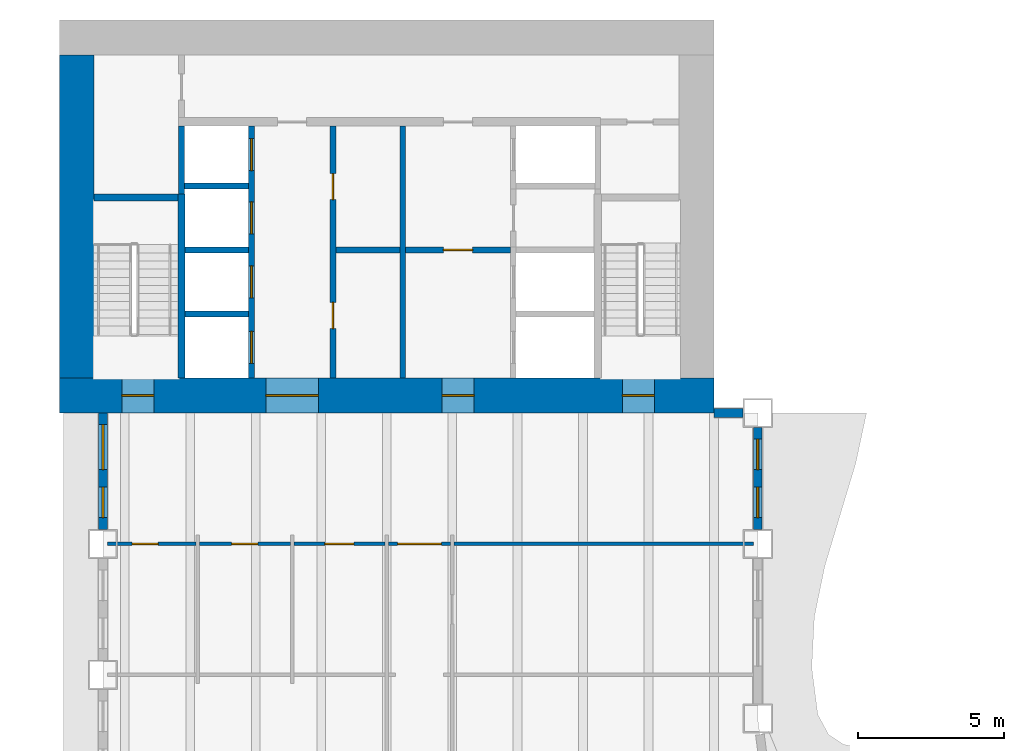
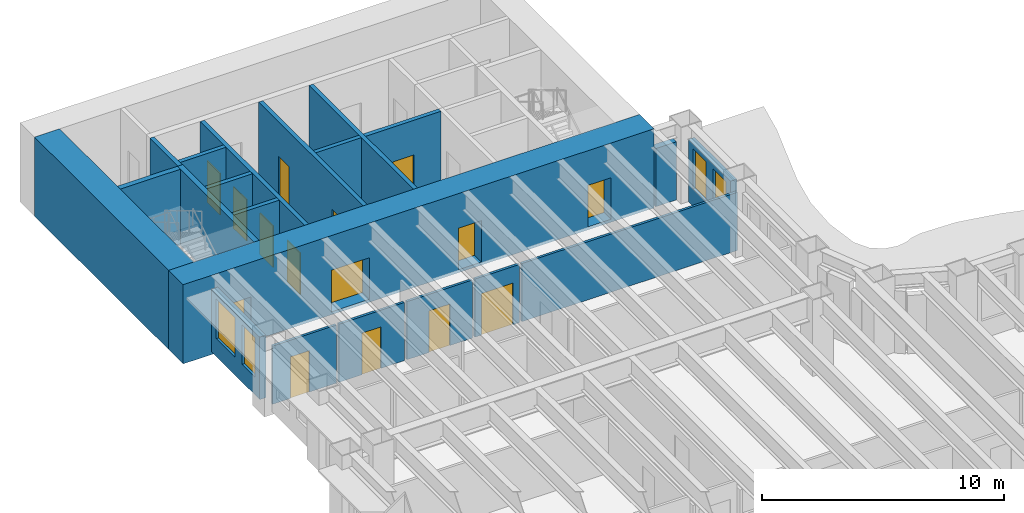
# One storey, part 8 of 16: 21 walls, 15 doors, 4 windows, 19 openings.
"""IFC4 building model written with IfcOpenShell, lengths in metres."""

from ifc_helpers import new_model, si_unit, direction, frame, frame_2d, origin, place, context, subcontext, project, spatial, rectangle, extrude, material, layer, layer_set, type_object, element, fill, save


model = new_model("IFC4")

# Units and contexts
model_context = context("Model", 3, precision=1e-05, world=origin(), true_north=direction((0.0, 1.0)))
body_context = subcontext(model_context, "Body", "Model", "MODEL_VIEW")
ifc_project = project(units=[si_unit("LENGTHUNIT", "METRE"), si_unit("AREAUNIT", "SQUARE_METRE"), si_unit("VOLUMEUNIT", "CUBIC_METRE"), si_unit("PLANEANGLEUNIT", "RADIAN"), si_unit("MASSUNIT", "GRAM", prefix="KILO")], contexts=[model_context])

# Site, building, storey
site_placement = place(None, origin())
site = spatial("IfcSite", under=ifc_project, at=site_placement, CompositionType="ELEMENT")
building_placement = place(site_placement, origin())
building = spatial("IfcBuilding", under=site, at=building_placement, Name="Sennacour Bend Tower", CompositionType="ELEMENT")
storey_placement = place(building_placement, frame((0.0, 0.0, 91.0)))
storey = spatial("IfcBuildingStorey", under=building, at=storey_placement, Name="L20", CompositionType="ELEMENT", Elevation=91.0)

# Wall, openings, doors
ifc_material_1 = material(Name="Concrete C80/95", Category="concrete")
ifc_layer_1 = layer(ifc_material_1, 1.199951171875, Name="Concrete C80/95", Category="concrete")
ifc_layer_set_1 = layer_set([ifc_layer_1], Name="Concrete C80/95")
wall_type_1 = type_object("IfcWallType", Name="Core wall 1200 C80/95", PredefinedType="SHEAR", material=ifc_layer_set_1)
wall_1_placement = place(storey_placement, frame((0.0, 36.60009765625, -0.14990234375), z_axis=(0.0, 0.0, 1.0), x_axis=(1.0, 0.0, 0.0)))
wall_1 = element("IfcWall", 1, at=wall_1_placement, inside=storey, type_object=wall_type_1, Name="Core B wall L20 S", PredefinedType="SHEAR", context=body_context, shape_type="SweptSolid", body=[
    extrude(rectangle(XDim=22.5, YDim=1.199951171875, at=frame_2d((11.25, 0.0))), origin(), (0.0, 0.0, 1.0), 4.0),
])
opening_1_placement = place(wall_1_placement, frame((7.10009765625, 0.0, 0.14990234375)))
opening_1 = element("IfcOpeningElement", 2, at=opening_1_placement, cuts=wall_1, Name="Opening CD", PredefinedType="OPENING", context=body_context, shape_type="SweptSolid", body=[
    extrude(rectangle(XDim=1.800048828125, YDim=2.10009765625, at=frame_2d((0.89990234375, 1.050048828125))), frame((0.0, 0.60986328125, 0.0), z_axis=(0.0, -1.0, 0.0), x_axis=(1.0, 0.0, 0.0)), (0.0, 0.0, 1.0), 1.219970703125),
])
opening_2_placement = place(wall_1_placement, frame((13.14990234375, 0.0, 0.14990234375)))
opening_2 = element("IfcOpeningElement", 3, at=opening_2_placement, cuts=wall_1, Name="Opening FD", PredefinedType="OPENING", context=body_context, shape_type="SweptSolid", body=[
    extrude(rectangle(XDim=1.10009765625, YDim=2.10009765625, at=frame_2d((0.550048828125, 1.050048828125))), frame((0.0, 0.60986328125, 0.0), z_axis=(0.0, -1.0, 0.0), x_axis=(1.0, 0.0, 0.0)), (0.0, 0.0, 1.0), 1.219970703125),
])
opening_3_placement = place(wall_1_placement, frame((2.14990234375, 0.0, 0.14990234375)))
opening_3 = element("IfcOpeningElement", 4, at=opening_3_placement, cuts=wall_1, Name="Opening SD", PredefinedType="OPENING", context=body_context, shape_type="SweptSolid", body=[
    extrude(rectangle(XDim=1.10009765625, YDim=2.10009765625, at=frame_2d((0.550048828125, 1.050048828125))), frame((0.0, 0.60986328125, 0.0), z_axis=(0.0, -1.0, 0.0), x_axis=(1.0, 0.0, 0.0)), (0.0, 0.0, 1.0), 1.219970703125),
])
opening_4_placement = place(wall_1_placement, frame((19.35009765625, 0.0, 0.14990234375)))
opening_4 = element("IfcOpeningElement", 5, at=opening_4_placement, cuts=wall_1, Name="Opening SD", PredefinedType="OPENING", context=body_context, shape_type="SweptSolid", body=[
    extrude(rectangle(XDim=1.10009765625, YDim=2.10009765625, at=frame_2d((0.550048828125, 1.050048828125))), frame((0.0, 0.60986328125, 0.0), z_axis=(0.0, -1.0, 0.0), x_axis=(1.0, 0.0, 0.0)), (0.0, 0.0, 1.0), 1.219970703125),
])
ifc_material_2 = material(Name="Painted steel", Category="steel")
door_type_1 = type_object("IfcDoorType", Name="DR-FFL-1100", OperationType="NOTDEFINED", PredefinedType="DOOR", material=ifc_material_2)
door_1_placement = place(opening_2_placement, origin())
door_1 = element("IfcDoor", 6, at=door_1_placement, inside=storey, type_object=door_type_1, Name="Door", OperationType="SINGLE_SWING_RIGHT", OverallHeight=2.10009765625, OverallWidth=1.10009765625, PredefinedType="DOOR", context=body_context, shape_type="SweptSolid", body=[
    extrude(rectangle(XDim=1.10009765625, YDim=2.10009765625, at=frame_2d((0.550048828125, 1.050048828125))), frame((0.0, 0.02490234375, 0.0), z_axis=(0.0, -1.0, 0.0), x_axis=(1.0, 0.0, 0.0)), (0.0, 0.0, 1.0), 0.050048828125),
])
fill(opening_2, door_1)
door_type_2 = type_object("IfcDoorType", Name="DR-LOBBY-1800", OperationType="NOTDEFINED", PredefinedType="DOOR", material=ifc_material_2)
door_2_placement = place(opening_1_placement, origin())
door_2 = element("IfcDoor", 7, at=door_2_placement, inside=storey, type_object=door_type_2, Name="Door", OperationType="DOUBLE_DOOR_SINGLE_SWING", OverallHeight=2.10009765625, OverallWidth=1.800048828125, PredefinedType="DOOR", context=body_context, shape_type="SweptSolid", body=[
    extrude(rectangle(XDim=1.800048828125, YDim=2.10009765625, at=frame_2d((0.89990234375, 1.050048828125))), frame((0.0, 0.02490234375, 0.0), z_axis=(0.0, -1.0, 0.0), x_axis=(1.0, 0.0, 0.0)), (0.0, 0.0, 1.0), 0.050048828125),
])
fill(opening_1, door_2)
door_type_3 = type_object("IfcDoorType", Name="DR-STAIR-1100", OperationType="NOTDEFINED", PredefinedType="DOOR", material=ifc_material_2)
door_3_placement = place(opening_3_placement, origin())
door_3 = element("IfcDoor", 8, at=door_3_placement, inside=storey, type_object=door_type_3, Name="Door", OperationType="SINGLE_SWING_LEFT", OverallHeight=2.10009765625, OverallWidth=1.10009765625, PredefinedType="DOOR", context=body_context, shape_type="SweptSolid", body=[
    extrude(rectangle(XDim=1.10009765625, YDim=2.10009765625, at=frame_2d((0.550048828125, 1.050048828125))), frame((0.0, 0.02490234375, 0.0), z_axis=(0.0, -1.0, 0.0), x_axis=(1.0, 0.0, 0.0)), (0.0, 0.0, 1.0), 0.050048828125),
])
fill(opening_3, door_3)
door_4_placement = place(opening_4_placement, origin())
door_4 = element("IfcDoor", 9, at=door_4_placement, inside=storey, type_object=door_type_3, Name="Door", OperationType="SINGLE_SWING_RIGHT", OverallHeight=2.10009765625, OverallWidth=1.10009765625, PredefinedType="DOOR", context=body_context, shape_type="SweptSolid", body=[
    extrude(rectangle(XDim=1.10009765625, YDim=2.10009765625, at=frame_2d((0.550048828125, 1.050048828125))), frame((0.0, 0.02490234375, 0.0), z_axis=(0.0, -1.0, 0.0), x_axis=(1.0, 0.0, 0.0)), (0.0, 0.0, 1.0), 0.050048828125),
])
fill(opening_4, door_4)

# Wall
wall_2_placement = place(storey_placement, frame((0.60009765625, 37.199951171875, -0.14990234375), z_axis=(0.0, 0.0, 1.0), x_axis=(0.0, 1.0, 0.0)))
element("IfcWall", 10, at=wall_2_placement, inside=storey, type_object=wall_type_1, Name="Core B wall L20 W", PredefinedType="SHEAR", context=body_context, shape_type="SweptSolid", body=[
    extrude(rectangle(XDim=11.10009765625, YDim=1.199951171875, at=frame_2d((5.550048828125, 0.0))), origin(), (0.0, 0.0, 1.0), 4.0),
])

# Wall, opening, door
ifc_material_3 = material(Name="Plasterboard partition on steel studs", Category="steel")
ifc_layer_2 = layer(ifc_material_3, 0.1201171875, Name="Plasterboard partition on steel studs", Category="steel")
ifc_layer_set_2 = layer_set([ifc_layer_2], Name="Plasterboard partition on steel studs")
wall_type_2 = type_object("IfcWallType", Name="Partition 120", PredefinedType="PARTITIONING", material=ifc_layer_set_2)
wall_3_placement = place(storey_placement, frame((1.64990234375, 31.5, 0.0), z_axis=(0.0, 0.0, 1.0), x_axis=(1.0, 0.0, 0.0)))
wall_3 = element("IfcWall", 11, at=wall_3_placement, inside=storey, type_object=wall_type_2, Name="P-L20-W072aa", PredefinedType="PARTITIONING", context=body_context, shape_type="SweptSolid", body=[
    extrude(rectangle(XDim=3.0400390625, YDim=0.1201171875, at=frame_2d((1.52001953125, 0.0))), origin(), (0.0, 0.0, 1.0), 2.93798828125),
])
opening_5_placement = place(wall_3_placement, frame((0.85009765625, 0.0, 0.0)))
opening_5 = element("IfcOpeningElement", 12, at=opening_5_placement, cuts=wall_3, Name="Opening WD", PredefinedType="OPENING", context=body_context, shape_type="SweptSolid", body=[
    extrude(rectangle(XDim=0.89990234375, YDim=2.10009765625, at=frame_2d((0.449951171875, 1.050048828125))), frame((0.0, 0.070068359375, 0.0), z_axis=(0.0, -1.0, 0.0), x_axis=(1.0, 0.0, 0.0)), (0.0, 0.0, 1.0), 0.14013671875),
])
ifc_material_4 = material(Name="Timber", Category="wood")
door_type_4 = type_object("IfcDoorType", Name="DR-WC-900", OperationType="NOTDEFINED", PredefinedType="DOOR", material=ifc_material_4)
door_5_placement = place(opening_5_placement, origin())
door_5 = element("IfcDoor", 13, at=door_5_placement, inside=storey, type_object=door_type_4, Name="Door", OperationType="SINGLE_SWING_LEFT", OverallHeight=2.10009765625, OverallWidth=0.89990234375, PredefinedType="DOOR", context=body_context, shape_type="SweptSolid", body=[
    extrude(rectangle(XDim=0.89990234375, YDim=2.10009765625, at=frame_2d((0.449951171875, 1.050048828125))), frame((0.0, 0.02490234375, 0.0), z_axis=(0.0, -1.0, 0.0), x_axis=(1.0, 0.0, 0.0)), (0.0, 0.0, 1.0), 0.050048828125),
])
fill(opening_5, door_5)

wall_4_placement = place(storey_placement, frame((4.81005859375, 31.5, 0.0), z_axis=(0.0, 0.0, 1.0), x_axis=(1.0, 0.0, 0.0)))
wall_4 = element("IfcWall", 14, at=wall_4_placement, inside=storey, type_object=wall_type_2, Name="P-L20-W072ab", PredefinedType="PARTITIONING", context=body_context, shape_type="SweptSolid", body=[
    extrude(rectangle(XDim=3.1298828125, YDim=0.1201171875, at=frame_2d((1.56494140625, 0.0))), origin(), (0.0, 0.0, 1.0), 2.93798828125),
])
opening_6_placement = place(wall_4_placement, frame((1.114990234375, 0.0, 0.0)))
opening_6 = element("IfcOpeningElement", 15, at=opening_6_placement, cuts=wall_4, Name="Opening WD", PredefinedType="OPENING", context=body_context, shape_type="SweptSolid", body=[
    extrude(rectangle(XDim=0.89990234375, YDim=2.10009765625, at=frame_2d((0.449951171875, 1.050048828125))), frame((0.0, 0.070068359375, 0.0), z_axis=(0.0, -1.0, 0.0), x_axis=(1.0, 0.0, 0.0)), (0.0, 0.0, 1.0), 0.14013671875),
])
door_6_placement = place(opening_6_placement, origin())
door_6 = element("IfcDoor", 16, at=door_6_placement, inside=storey, type_object=door_type_4, Name="Door", OperationType="SINGLE_SWING_LEFT", OverallHeight=2.10009765625, OverallWidth=0.89990234375, PredefinedType="DOOR", context=body_context, shape_type="SweptSolid", body=[
    extrude(rectangle(XDim=0.89990234375, YDim=2.10009765625, at=frame_2d((0.449951171875, 1.050048828125))), frame((0.0, 0.02490234375, 0.0), z_axis=(0.0, -1.0, 0.0), x_axis=(1.0, 0.0, 0.0)), (0.0, 0.0, 1.0), 0.050048828125),
])
fill(opening_6, door_6)

wall_5_placement = place(storey_placement, frame((8.06005859375, 31.5, 0.0), z_axis=(0.0, 0.0, 1.0), x_axis=(1.0, 0.0, 0.0)))
wall_5 = element("IfcWall", 17, at=wall_5_placement, inside=storey, type_object=wall_type_2, Name="P-L20-W072ac", PredefinedType="PARTITIONING", context=body_context, shape_type="SweptSolid", body=[
    extrude(rectangle(XDim=3.1298828125, YDim=0.1201171875, at=frame_2d((1.56494140625, 0.0))), origin(), (0.0, 0.0, 1.0), 2.93798828125),
])
opening_7_placement = place(wall_5_placement, frame((1.06494140625, 0.0, 0.0)))
opening_7 = element("IfcOpeningElement", 18, at=opening_7_placement, cuts=wall_5, Name="Opening AD", PredefinedType="OPENING", context=body_context, shape_type="SweptSolid", body=[
    extrude(rectangle(XDim=1.0, YDim=2.10009765625, at=frame_2d((0.5, 1.050048828125))), frame((0.0, 0.070068359375, 0.0), z_axis=(0.0, -1.0, 0.0), x_axis=(1.0, 0.0, 0.0)), (0.0, 0.0, 1.0), 0.14013671875),
])
door_type_5 = type_object("IfcDoorType", Name="DR-ACC-WC-1000", OperationType="NOTDEFINED", PredefinedType="DOOR", material=ifc_material_4)
door_7_placement = place(opening_7_placement, origin())
door_7 = element("IfcDoor", 19, at=door_7_placement, inside=storey, type_object=door_type_5, Name="Door", OperationType="SINGLE_SWING_LEFT", OverallHeight=2.10009765625, OverallWidth=1.0, PredefinedType="DOOR", context=body_context, shape_type="SweptSolid", body=[
    extrude(rectangle(XDim=1.0, YDim=2.10009765625, at=frame_2d((0.5, 1.050048828125))), frame((0.0, 0.02490234375, 0.0), z_axis=(0.0, -1.0, 0.0), x_axis=(1.0, 0.0, 0.0)), (0.0, 0.0, 1.0), 0.050048828125),
])
fill(opening_7, door_7)

# Wall
wall_6_placement = place(storey_placement, frame((13.56005859375, 31.5, 0.0), z_axis=(0.0, 0.0, 1.0), x_axis=(1.0, 0.0, 0.0)))
element("IfcWall", 20, at=wall_6_placement, inside=storey, type_object=wall_type_2, Name="P-L20-W072ae", PredefinedType="PARTITIONING", context=body_context, shape_type="SweptSolid", body=[
    extrude(rectangle(XDim=10.2900390625, YDim=0.1201171875, at=frame_2d((5.14501953125, 0.0))), origin(), (0.0, 0.0, 1.0), 2.93798828125),
])

# Wall, opening, door
ifc_layer_3 = layer(ifc_material_3, 0.1201171875, Name="Plasterboard partition on steel studs", Category="steel")
ifc_layer_set_3 = layer_set([ifc_layer_3], Name="Plasterboard partition on steel studs")
wall_type_3 = type_object("IfcWallType", Name="Partition 120 EI 30", PredefinedType="PARTITIONING", material=ifc_layer_set_3)
wall_7_placement = place(storey_placement, frame((11.31005859375, 31.5, 0.0), z_axis=(0.0, 0.0, 1.0), x_axis=(1.0, 0.0, 0.0)))
wall_7 = element("IfcWall", 21, at=wall_7_placement, inside=storey, type_object=wall_type_3, Name="P-L20-W072ad", PredefinedType="PARTITIONING", context=body_context, shape_type="SweptSolid", body=[
    extrude(rectangle(XDim=2.1298828125, YDim=0.1201171875, at=frame_2d((1.06494140625, 0.0))), origin(), (0.0, 0.0, 1.0), 2.93798828125),
])
opening_8_placement = place(wall_7_placement, frame((0.31494140625, 0.0, 0.0)))
opening_8 = element("IfcOpeningElement", 22, at=opening_8_placement, cuts=wall_7, Name="Opening KD", PredefinedType="OPENING", context=body_context, shape_type="SweptSolid", body=[
    extrude(rectangle(XDim=1.5, YDim=2.10009765625, at=frame_2d((0.75, 1.050048828125))), frame((0.0, 0.070068359375, 0.0), z_axis=(0.0, -1.0, 0.0), x_axis=(1.0, 0.0, 0.0)), (0.0, 0.0, 1.0), 0.14013671875),
])
door_type_6 = type_object("IfcDoorType", Name="DR-CORRIDOR-1500", OperationType="NOTDEFINED", PredefinedType="DOOR", material=ifc_material_2)
door_8_placement = place(opening_8_placement, origin())
door_8 = element("IfcDoor", 23, at=door_8_placement, inside=storey, type_object=door_type_6, Name="Door", OperationType="SINGLE_SWING_LEFT", OverallHeight=2.10009765625, OverallWidth=1.5, PredefinedType="DOOR", context=body_context, shape_type="SweptSolid", body=[
    extrude(rectangle(XDim=1.5, YDim=2.10009765625, at=frame_2d((0.75, 1.050048828125))), frame((0.0, 0.02490234375, 0.0), z_axis=(0.0, -1.0, 0.0), x_axis=(1.0, 0.0, 0.0)), (0.0, 0.0, 1.0), 0.050048828125),
])
fill(opening_8, door_8)

# Wall, openings, doors
ifc_material_5 = material(Name="Fire-rated plasterboard partition on steel studs", Category="steel")
ifc_layer_4 = layer(ifc_material_5, 0.199951171875, Name="Fire-rated plasterboard partition on steel studs", Category="steel")
ifc_layer_set_4 = layer_set([ifc_layer_4], Name="Fire-rated plasterboard partition on steel studs")
wall_type_4 = type_object("IfcWallType", Name="Rated partition 200", PredefinedType="PARTITIONING", material=ifc_layer_set_4)
wall_8_placement = place(storey_placement, frame((9.39990234375, 37.199951171875, 0.0), z_axis=(0.0, 0.0, 1.0), x_axis=(0.0, 1.0, 0.0)))
wall_8 = element("IfcWall", 24, at=wall_8_placement, inside=storey, type_object=wall_type_4, Name="P-L20-W013", PredefinedType="PARTITIONING", context=body_context, shape_type="SweptSolid", body=[
    extrude(rectangle(XDim=8.650146484375, YDim=0.199951171875, at=frame_2d((4.3251953125, 0.0))), origin(), (0.0, 0.0, 1.0), 3.85009765625),
])
opening_9_placement = place(wall_8_placement, frame((1.699951171875, 0.0, 0.0)))
opening_9 = element("IfcOpeningElement", 25, at=opening_9_placement, cuts=wall_8, Name="Opening SV", PredefinedType="OPENING", context=body_context, shape_type="SweptSolid", body=[
    extrude(rectangle(XDim=0.89990234375, YDim=2.10009765625, at=frame_2d((0.449951171875, 1.050048828125))), frame((0.0, 0.10986328125, 0.0), z_axis=(0.0, -1.0, 0.0), x_axis=(1.0, 0.0, 0.0)), (0.0, 0.0, 1.0), 0.219970703125),
])
opening_10_placement = place(wall_8_placement, frame((6.125, 0.0, 0.0)))
opening_10 = element("IfcOpeningElement", 26, at=opening_10_placement, cuts=wall_8, Name="Opening SV", PredefinedType="OPENING", context=body_context, shape_type="SweptSolid", body=[
    extrude(rectangle(XDim=0.89990234375, YDim=2.10009765625, at=frame_2d((0.449951171875, 1.050048828125))), frame((0.0, 0.10986328125, 0.0), z_axis=(0.0, -1.0, 0.0), x_axis=(1.0, 0.0, 0.0)), (0.0, 0.0, 1.0), 0.219970703125),
])
door_type_7 = type_object("IfcDoorType", Name="DR-SERVICE-900", OperationType="NOTDEFINED", PredefinedType="DOOR", material=ifc_material_2)
door_9_placement = place(opening_9_placement, origin())
door_9 = element("IfcDoor", 27, at=door_9_placement, inside=storey, type_object=door_type_7, Name="Door", OperationType="SINGLE_SWING_LEFT", OverallHeight=2.10009765625, OverallWidth=0.89990234375, PredefinedType="DOOR", context=body_context, shape_type="SweptSolid", body=[
    extrude(rectangle(XDim=0.89990234375, YDim=2.10009765625, at=frame_2d((0.449951171875, 1.050048828125))), frame((0.0, 0.02490234375, 0.0), z_axis=(0.0, -1.0, 0.0), x_axis=(1.0, 0.0, 0.0)), (0.0, 0.0, 1.0), 0.050048828125),
])
fill(opening_9, door_9)
door_10_placement = place(opening_10_placement, origin())
door_10 = element("IfcDoor", 28, at=door_10_placement, inside=storey, type_object=door_type_7, Name="Door", OperationType="SINGLE_SWING_RIGHT", OverallHeight=2.10009765625, OverallWidth=0.89990234375, PredefinedType="DOOR", context=body_context, shape_type="SweptSolid", body=[
    extrude(rectangle(XDim=0.89990234375, YDim=2.10009765625, at=frame_2d((0.449951171875, 1.050048828125))), frame((0.0, 0.02490234375, 0.0), z_axis=(0.0, -1.0, 0.0), x_axis=(1.0, 0.0, 0.0)), (0.0, 0.0, 1.0), 0.050048828125),
])
fill(opening_10, door_10)

# Walls
wall_9_placement = place(storey_placement, frame((11.800048828125, 37.199951171875, 0.0), z_axis=(0.0, 0.0, 1.0), x_axis=(0.0, 1.0, 0.0)))
element("IfcWall", 29, at=wall_9_placement, inside=storey, type_object=wall_type_4, Name="P-L20-W015", PredefinedType="PARTITIONING", context=body_context, shape_type="SweptSolid", body=[
    extrude(rectangle(XDim=8.650146484375, YDim=0.199951171875, at=frame_2d((4.3251953125, 0.0))), origin(), (0.0, 0.0, 1.0), 3.85009765625),
])
wall_10_placement = place(storey_placement, frame((9.5, 41.60009765625, 0.0), z_axis=(0.0, 0.0, 1.0), x_axis=(1.0, 0.0, 0.0)))
element("IfcWall", 30, at=wall_10_placement, inside=storey, type_object=wall_type_4, Name="P-L20-W077a", PredefinedType="PARTITIONING", context=body_context, shape_type="SweptSolid", body=[
    extrude(rectangle(XDim=2.199951171875, YDim=0.199951171875, at=frame_2d((1.10009765625, 0.0))), origin(), (0.0, 0.0, 1.0), 3.85009765625),
])

# Wall, opening, door
ifc_layer_5 = layer(ifc_material_5, 0.199951171875, Name="Fire-rated plasterboard partition on steel studs", Category="steel")
ifc_layer_set_5 = layer_set([ifc_layer_5], Name="Fire-rated plasterboard partition on steel studs")
wall_type_5 = type_object("IfcWallType", Name="Rated partition 200 EI 90", PredefinedType="PARTITIONING", material=ifc_layer_set_5)
wall_11_placement = place(storey_placement, frame((11.89990234375, 41.60009765625, 0.0), z_axis=(0.0, 0.0, 1.0), x_axis=(1.0, 0.0, 0.0)))
wall_11 = element("IfcWall", 31, at=wall_11_placement, inside=storey, type_object=wall_type_5, Name="P-L20-W077b", PredefinedType="PARTITIONING", context=body_context, shape_type="SweptSolid", body=[
    extrude(rectangle(XDim=3.60009765625, YDim=0.199951171875, at=frame_2d((1.800048828125, 0.0))), origin(), (0.0, 0.0, 1.0), 3.85009765625),
])
opening_11_placement = place(wall_11_placement, frame((1.300048828125, 0.0, 0.0)))
opening_11 = element("IfcOpeningElement", 32, at=opening_11_placement, cuts=wall_11, Name="Opening FD2", PredefinedType="OPENING", context=body_context, shape_type="SweptSolid", body=[
    extrude(rectangle(XDim=1.0, YDim=2.10009765625, at=frame_2d((0.5, 1.050048828125))), frame((0.0, 0.10986328125, 0.0), z_axis=(0.0, -1.0, 0.0), x_axis=(1.0, 0.0, 0.0)), (0.0, 0.0, 1.0), 0.219970703125),
])
door_type_8 = type_object("IfcDoorType", Name="DR-FFL-1000", OperationType="NOTDEFINED", PredefinedType="DOOR", material=ifc_material_2)
door_11_placement = place(opening_11_placement, origin())
door_11 = element("IfcDoor", 33, at=door_11_placement, inside=storey, type_object=door_type_8, Name="Door", OperationType="SINGLE_SWING_RIGHT", OverallHeight=2.10009765625, OverallWidth=1.0, PredefinedType="DOOR", context=body_context, shape_type="SweptSolid", body=[
    extrude(rectangle(XDim=1.0, YDim=2.10009765625, at=frame_2d((0.5, 1.050048828125))), frame((0.0, 0.02490234375, 0.0), z_axis=(0.0, -1.0, 0.0), x_axis=(1.0, 0.0, 0.0)), (0.0, 0.0, 1.0), 0.050048828125),
])
fill(opening_11, door_11)

# Wall, openings, windows
ifc_material_6 = material(Name="Warm limestone cladding", Category="masonry")
ifc_layer_6 = layer(ifc_material_6, 0.050048828125, Name="Warm limestone cladding", Category="masonry")
ifc_material_7 = material(Name="Precast concrete C40/50", Category="concrete")
ifc_layer_7 = layer(ifc_material_7, 0.25, Name="Precast concrete C40/50", Category="concrete")
ifc_layer_set_6 = layer_set([ifc_layer_6, ifc_layer_7], Name="Precast concrete C40/50 with limestone cladding")
wall_type_6 = type_object("IfcWallType", Name="STONE-CLAD PRECAST SPANDREL 300", PredefinedType="STANDARD", material=ifc_layer_set_6)
wall_12_placement = place(storey_placement, frame((24.0, 32.0, 0.0), z_axis=(0.0, 0.0, 1.0), x_axis=(0.0, 1.0, 0.0)))
wall_12 = element("IfcWall", 34, at=wall_12_placement, inside=storey, type_object=wall_type_6, Name="Stone spandrel and pier wall L20 13.01", PredefinedType="STANDARD", context=body_context, shape_type="SweptSolid", body=[
    extrude(rectangle(XDim=3.5, YDim=0.300048828125, at=frame_2d((1.75, 0.0))), origin(), (0.0, 0.0, 1.0), 3.154052734375),
])
opening_12_placement = place(wall_12_placement, frame((0.39990234375, 0.0, 0.89990234375)))
opening_12 = element("IfcOpeningElement", 35, at=opening_12_placement, cuts=wall_12, Name="Opening W13", PredefinedType="OPENING", context=body_context, shape_type="SweptSolid", body=[
    extrude(rectangle(XDim=1.050048828125, YDim=2.0, at=frame_2d((0.52490234375, 1.0))), frame((0.0, 0.16015625, 0.0), z_axis=(0.0, -1.0, 0.0), x_axis=(1.0, 0.0, 0.0)), (0.0, 0.0, 1.0), 0.320068359375),
])
opening_13_placement = place(wall_12_placement, frame((2.050048828125, 0.0, 0.89990234375)))
opening_13 = element("IfcOpeningElement", 36, at=opening_13_placement, cuts=wall_12, Name="Opening W13", PredefinedType="OPENING", context=body_context, shape_type="SweptSolid", body=[
    extrude(rectangle(XDim=1.050048828125, YDim=2.0, at=frame_2d((0.52490234375, 1.0))), frame((0.0, 0.16015625, 0.0), z_axis=(0.0, -1.0, 0.0), x_axis=(1.0, 0.0, 0.0)), (0.0, 0.0, 1.0), 0.320068359375),
])
ifc_material_8 = material(Name="Clear low-emissivity glass", Category="glass")
window_type_1 = type_object("IfcWindowType", Name="WIN-RIBBON-1050x2000", PartitioningType="SINGLE_PANEL", PredefinedType="WINDOW", material=ifc_material_8)
window_1_placement = place(opening_12_placement, origin())
window_1 = element("IfcWindow", 37, at=window_1_placement, inside=storey, type_object=window_type_1, Name="Ribbon window L20 13.01.0", OverallHeight=2.0, OverallWidth=1.050048828125, PartitioningType="SINGLE_PANEL", PredefinedType="WINDOW", context=body_context, shape_type="SweptSolid", body=[
    extrude(rectangle(XDim=1.050048828125, YDim=2.0, at=frame_2d((0.52490234375, 1.0))), frame((0.0, 0.030029296875, 0.0), z_axis=(0.0, -1.0, 0.0), x_axis=(1.0, 0.0, 0.0)), (0.0, 0.0, 1.0), 0.06005859375),
])
fill(opening_12, window_1)
window_2_placement = place(opening_13_placement, origin())
window_2 = element("IfcWindow", 38, at=window_2_placement, inside=storey, type_object=window_type_1, Name="Ribbon window L20 13.01.1", OverallHeight=2.0, OverallWidth=1.050048828125, PartitioningType="SINGLE_PANEL", PredefinedType="WINDOW", context=body_context, shape_type="SweptSolid", body=[
    extrude(rectangle(XDim=1.050048828125, YDim=2.0, at=frame_2d((0.52490234375, 1.0))), frame((0.0, 0.030029296875, 0.0), z_axis=(0.0, -1.0, 0.0), x_axis=(1.0, 0.0, 0.0)), (0.0, 0.0, 1.0), 0.06005859375),
])
fill(opening_13, window_2)

# Wall
wall_13_placement = place(storey_placement, frame((23.5, 36.0, 0.0), z_axis=(0.0, 0.0, 1.0), x_axis=(-1.0, 0.0, 0.0)))
element("IfcWall", 39, at=wall_13_placement, inside=storey, type_object=wall_type_6, Name="Stone spandrel and pier wall L20 14.00", PredefinedType="STANDARD", context=body_context, shape_type="SweptSolid", body=[
    extrude(rectangle(XDim=1.0, YDim=0.300048828125, at=frame_2d((0.5, 0.0))), origin(), (0.0, 0.0, 1.0), 2.93798828125),
])

# Wall, openings, windows
wall_14_placement = place(storey_placement, frame((1.5, 36.0, 0.0), z_axis=(0.0, 0.0, 1.0), x_axis=(0.0, -1.0, 0.0)))
wall_14 = element("IfcWall", 40, at=wall_14_placement, inside=storey, type_object=wall_type_6, Name="Stone spandrel and pier wall L20 19.00", PredefinedType="STANDARD", context=body_context, shape_type="SweptSolid", body=[
    extrude(rectangle(XDim=4.0, YDim=0.300048828125, at=frame_2d((2.0, 0.0))), origin(), (0.0, 0.0, 1.0), 3.154052734375),
])
opening_14_placement = place(wall_14_placement, frame((0.39990234375, 0.0, 0.89990234375)))
opening_14 = element("IfcOpeningElement", 41, at=opening_14_placement, cuts=wall_14, Name="Opening W9", PredefinedType="OPENING", context=body_context, shape_type="SweptSolid", body=[
    extrude(rectangle(XDim=1.550048828125, YDim=2.0, at=frame_2d((0.77490234375, 1.0))), frame((0.0, 0.16015625, 0.0), z_axis=(0.0, -1.0, 0.0), x_axis=(1.0, 0.0, 0.0)), (0.0, 0.0, 1.0), 0.320068359375),
])
opening_15_placement = place(wall_14_placement, frame((2.550048828125, 0.0, 0.89990234375)))
opening_15 = element("IfcOpeningElement", 42, at=opening_15_placement, cuts=wall_14, Name="Opening W13", PredefinedType="OPENING", context=body_context, shape_type="SweptSolid", body=[
    extrude(rectangle(XDim=1.050048828125, YDim=2.0, at=frame_2d((0.52490234375, 1.0))), frame((0.0, 0.16015625, 0.0), z_axis=(0.0, -1.0, 0.0), x_axis=(1.0, 0.0, 0.0)), (0.0, 0.0, 1.0), 0.320068359375),
])
window_3_placement = place(opening_15_placement, origin())
window_3 = element("IfcWindow", 43, at=window_3_placement, inside=storey, type_object=window_type_1, Name="Ribbon window L20 19.00.1", OverallHeight=2.0, OverallWidth=1.050048828125, PartitioningType="SINGLE_PANEL", PredefinedType="WINDOW", context=body_context, shape_type="SweptSolid", body=[
    extrude(rectangle(XDim=1.050048828125, YDim=2.0, at=frame_2d((0.52490234375, 1.0))), frame((0.0, 0.030029296875, 0.0), z_axis=(0.0, -1.0, 0.0), x_axis=(1.0, 0.0, 0.0)), (0.0, 0.0, 1.0), 0.06005859375),
])
fill(opening_15, window_3)
window_type_2 = type_object("IfcWindowType", Name="WIN-RIBBON-1550x2000", PartitioningType="SINGLE_PANEL", PredefinedType="WINDOW", material=ifc_material_8)
window_4_placement = place(opening_14_placement, origin())
window_4 = element("IfcWindow", 44, at=window_4_placement, inside=storey, type_object=window_type_2, Name="Ribbon window L20 19.00.0", OverallHeight=2.0, OverallWidth=1.550048828125, PartitioningType="SINGLE_PANEL", PredefinedType="WINDOW", context=body_context, shape_type="SweptSolid", body=[
    extrude(rectangle(XDim=1.550048828125, YDim=2.0, at=frame_2d((0.77490234375, 1.0))), frame((0.0, 0.030029296875, 0.0), z_axis=(0.0, -1.0, 0.0), x_axis=(1.0, 0.0, 0.0)), (0.0, 0.0, 1.0), 0.06005859375),
])
fill(opening_14, window_4)

# Wall
ifc_material_9 = material(Name="Concrete C50/60", Category="concrete")
ifc_layer_8 = layer(ifc_material_9, 0.199951171875, Name="Concrete C50/60", Category="concrete")
ifc_layer_set_7 = layer_set([ifc_layer_8], Name="Concrete C50/60")
wall_type_7 = type_object("IfcWallType", Name="Shaft wall 200", PredefinedType="SOLIDWALL", material=ifc_layer_set_7)
wall_15_placement = place(storey_placement, frame((4.199951171875, 43.52490234375, 0.0), z_axis=(0.0, 0.0, 1.0), x_axis=(0.0, 1.0, 0.0)))
element("IfcWall", 45, at=wall_15_placement, inside=storey, type_object=wall_type_7, Name="P-L20-W005", PredefinedType="SOLIDWALL", context=body_context, shape_type="SweptSolid", body=[
    extrude(rectangle(XDim=2.3251953125, YDim=0.199951171875, at=frame_2d((1.16259765625, 0.0))), origin(), (0.0, 0.0, 1.0), 3.85009765625),
])

# Wall, openings, doors
wall_16_placement = place(storey_placement, frame((6.60009765625, 37.199951171875, 0.0), z_axis=(0.0, 0.0, 1.0), x_axis=(0.0, 1.0, 0.0)))
wall_16 = element("IfcWall", 46, at=wall_16_placement, inside=storey, type_object=wall_type_7, Name="P-L20-W008", PredefinedType="SOLIDWALL", context=body_context, shape_type="SweptSolid", body=[
    extrude(rectangle(XDim=8.650146484375, YDim=0.199951171875, at=frame_2d((4.3251953125, 0.0))), origin(), (0.0, 0.0, 1.0), 3.85009765625),
])
opening_16_placement = place(wall_16_placement, frame((0.5, 0.0, 0.011962890625)))
opening_16 = element("IfcOpeningElement", 47, at=opening_16_placement, cuts=wall_16, Name="Opening LD", PredefinedType="OPENING", context=body_context, shape_type="SweptSolid", body=[
    extrude(rectangle(XDim=1.10009765625, YDim=2.10009765625, at=frame_2d((0.550048828125, 1.050048828125))), frame((0.0, 0.10986328125, 0.0), z_axis=(0.0, -1.0, 0.0), x_axis=(1.0, 0.0, 0.0)), (0.0, 0.0, 1.0), 0.219970703125),
])
opening_17_placement = place(wall_16_placement, frame((2.75, 0.0, 0.011962890625)))
opening_17 = element("IfcOpeningElement", 48, at=opening_17_placement, cuts=wall_16, Name="Opening LD", PredefinedType="OPENING", context=body_context, shape_type="SweptSolid", body=[
    extrude(rectangle(XDim=1.10009765625, YDim=2.10009765625, at=frame_2d((0.550048828125, 1.050048828125))), frame((0.0, 0.10986328125, 0.0), z_axis=(0.0, -1.0, 0.0), x_axis=(1.0, 0.0, 0.0)), (0.0, 0.0, 1.0), 0.219970703125),
])
opening_18_placement = place(wall_16_placement, frame((4.949951171875, 0.0, 0.011962890625)))
opening_18 = element("IfcOpeningElement", 49, at=opening_18_placement, cuts=wall_16, Name="Opening LD", PredefinedType="OPENING", context=body_context, shape_type="SweptSolid", body=[
    extrude(rectangle(XDim=1.10009765625, YDim=2.10009765625, at=frame_2d((0.550048828125, 1.050048828125))), frame((0.0, 0.10986328125, 0.0), z_axis=(0.0, -1.0, 0.0), x_axis=(1.0, 0.0, 0.0)), (0.0, 0.0, 1.0), 0.219970703125),
])
opening_19_placement = place(wall_16_placement, frame((7.125, 0.0, 0.011962890625)))
opening_19 = element("IfcOpeningElement", 50, at=opening_19_placement, cuts=wall_16, Name="Opening LD", PredefinedType="OPENING", context=body_context, shape_type="SweptSolid", body=[
    extrude(rectangle(XDim=1.10009765625, YDim=2.10009765625, at=frame_2d((0.550048828125, 1.050048828125))), frame((0.0, 0.10986328125, 0.0), z_axis=(0.0, -1.0, 0.0), x_axis=(1.0, 0.0, 0.0)), (0.0, 0.0, 1.0), 0.219970703125),
])
ifc_material_10 = material(Name="Stainless steel", Category="steel")
door_type_9 = type_object("IfcDoorType", Name="DR-LANDING-1100", OperationType="NOTDEFINED", PredefinedType="DOOR", material=ifc_material_10)
door_12_placement = place(opening_16_placement, origin())
door_12 = element("IfcDoor", 51, at=door_12_placement, inside=storey, type_object=door_type_9, Name="Lift landing door LB1", OperationType="SLIDING_TO_RIGHT", OverallHeight=2.10009765625, OverallWidth=1.10009765625, PredefinedType="DOOR", context=body_context, shape_type="SweptSolid", body=[
    extrude(rectangle(XDim=1.10009765625, YDim=2.10009765625, at=frame_2d((0.550048828125, 1.050048828125))), frame((0.0, 0.02490234375, 0.0), z_axis=(0.0, -1.0, 0.0), x_axis=(1.0, 0.0, 0.0)), (0.0, 0.0, 1.0), 0.050048828125),
])
fill(opening_16, door_12)
door_13_placement = place(opening_17_placement, origin())
door_13 = element("IfcDoor", 52, at=door_13_placement, inside=storey, type_object=door_type_9, Name="Lift landing door LB2", OperationType="SLIDING_TO_LEFT", OverallHeight=2.10009765625, OverallWidth=1.10009765625, PredefinedType="DOOR", context=body_context, shape_type="SweptSolid", body=[
    extrude(rectangle(XDim=1.10009765625, YDim=2.10009765625, at=frame_2d((0.550048828125, 1.050048828125))), frame((0.0, 0.02490234375, 0.0), z_axis=(0.0, -1.0, 0.0), x_axis=(1.0, 0.0, 0.0)), (0.0, 0.0, 1.0), 0.050048828125),
])
fill(opening_17, door_13)
door_14_placement = place(opening_18_placement, origin())
door_14 = element("IfcDoor", 53, at=door_14_placement, inside=storey, type_object=door_type_9, Name="Lift landing door LB3", OperationType="SLIDING_TO_RIGHT", OverallHeight=2.10009765625, OverallWidth=1.10009765625, PredefinedType="DOOR", context=body_context, shape_type="SweptSolid", body=[
    extrude(rectangle(XDim=1.10009765625, YDim=2.10009765625, at=frame_2d((0.550048828125, 1.050048828125))), frame((0.0, 0.02490234375, 0.0), z_axis=(0.0, -1.0, 0.0), x_axis=(1.0, 0.0, 0.0)), (0.0, 0.0, 1.0), 0.050048828125),
])
fill(opening_18, door_14)
door_15_placement = place(opening_19_placement, origin())
door_15 = element("IfcDoor", 54, at=door_15_placement, inside=storey, type_object=door_type_9, Name="Lift landing door LB4", OperationType="SLIDING_TO_LEFT", OverallHeight=2.10009765625, OverallWidth=1.10009765625, PredefinedType="DOOR", context=body_context, shape_type="SweptSolid", body=[
    extrude(rectangle(XDim=1.10009765625, YDim=2.10009765625, at=frame_2d((0.550048828125, 1.050048828125))), frame((0.0, 0.02490234375, 0.0), z_axis=(0.0, -1.0, 0.0), x_axis=(1.0, 0.0, 0.0)), (0.0, 0.0, 1.0), 0.050048828125),
])
fill(opening_19, door_15)

# Walls
for number, where, z_axis, x_axis, name in (
    (55, (4.324951171875, 39.39990234375, 0.0), (0.0, 0.0, 1.0), (1.0, 0.0, 0.0), "P-L20-W074"),
    (56, (4.324951171875, 41.60009765625, 0.0), (0.0, 0.0, 1.0), (1.0, 0.0, 0.0), "P-L20-W076"),
):
    element("IfcWall", number, at=place(storey_placement, frame(where, z_axis=z_axis, x_axis=x_axis)), inside=storey, type_object=wall_type_7, Name=name, PredefinedType="SOLIDWALL", context=body_context, shape_type="SweptSolid", body=[
        extrude(rectangle(XDim=2.175048828125, YDim=0.199951171875, at=frame_2d((1.08740234375, 0.0))), origin(), (0.0, 0.0, 1.0), 3.85009765625),
    ])
wall_17_placement = place(storey_placement, frame((4.300048828125, 43.800048828125, 0.0), z_axis=(0.0, 0.0, 1.0), x_axis=(1.0, 0.0, 0.0)))
element("IfcWall", 57, at=wall_17_placement, inside=storey, type_object=wall_type_7, Name="P-L20-W081", PredefinedType="SOLIDWALL", context=body_context, shape_type="SweptSolid", body=[
    extrude(rectangle(XDim=2.199951171875, YDim=0.199951171875, at=frame_2d((1.10009765625, 0.0))), origin(), (0.0, 0.0, 1.0), 3.85009765625),
])
ifc_material_11 = material(Name="Concrete C60/75", Category="concrete")
ifc_layer_9 = layer(ifc_material_11, 0.25, Name="Concrete C60/75", Category="concrete")
ifc_layer_set_8 = layer_set([ifc_layer_9], Name="Concrete C60/75")
wall_type_8 = type_object("IfcWallType", Name="Stair wall 250", PredefinedType="SHEAR", material=ifc_layer_set_8)
wall_18_placement = place(storey_placement, frame((4.199951171875, 37.199951171875, 0.0), z_axis=(0.0, 0.0, 1.0), x_axis=(0.0, 1.0, 0.0)))
element("IfcWall", 58, at=wall_18_placement, inside=storey, type_object=wall_type_8, Name="P-L20-W004", PredefinedType="SHEAR", context=body_context, shape_type="SweptSolid", body=[
    extrude(rectangle(XDim=6.324951171875, YDim=0.25, at=frame_2d((3.16259765625, 0.0))), origin(), (0.0, 0.0, 1.0), 3.85009765625),
])
wall_19_placement = place(storey_placement, frame((1.199951171875, 43.39990234375, 0.0), z_axis=(0.0, 0.0, 1.0), x_axis=(1.0, 0.0, 0.0)))
element("IfcWall", 59, at=wall_19_placement, inside=storey, type_object=wall_type_8, Name="P-L20-W079", PredefinedType="SHEAR", context=body_context, shape_type="SweptSolid", body=[
    extrude(rectangle(XDim=2.875, YDim=0.25, at=frame_2d((1.4375, 0.0))), origin(), (0.0, 0.0, 1.0), 3.85009765625),
])

save(model, "model.ifc")
